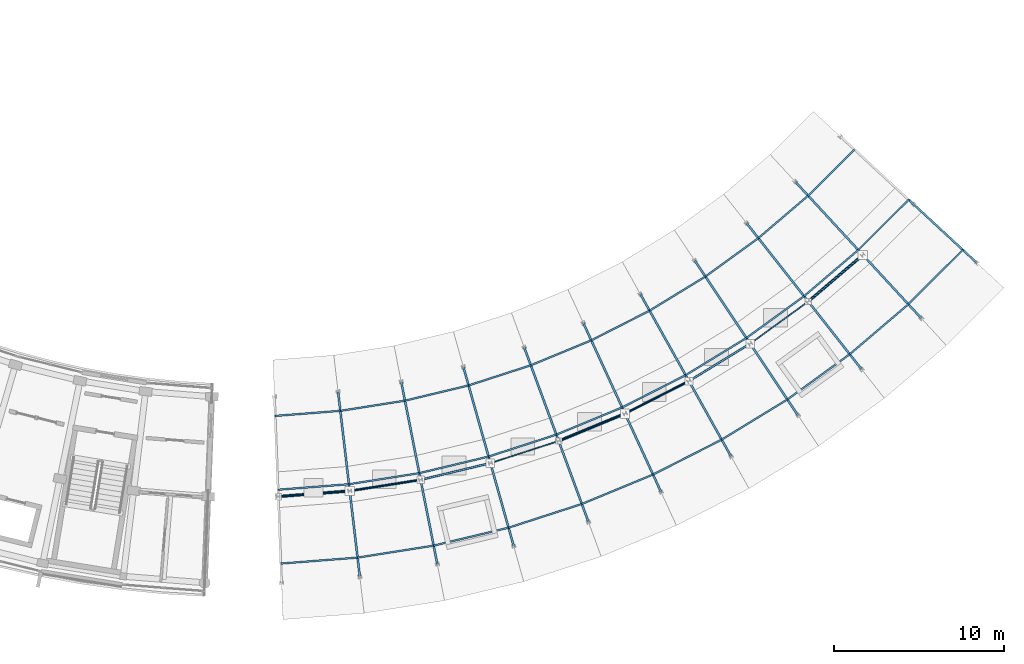
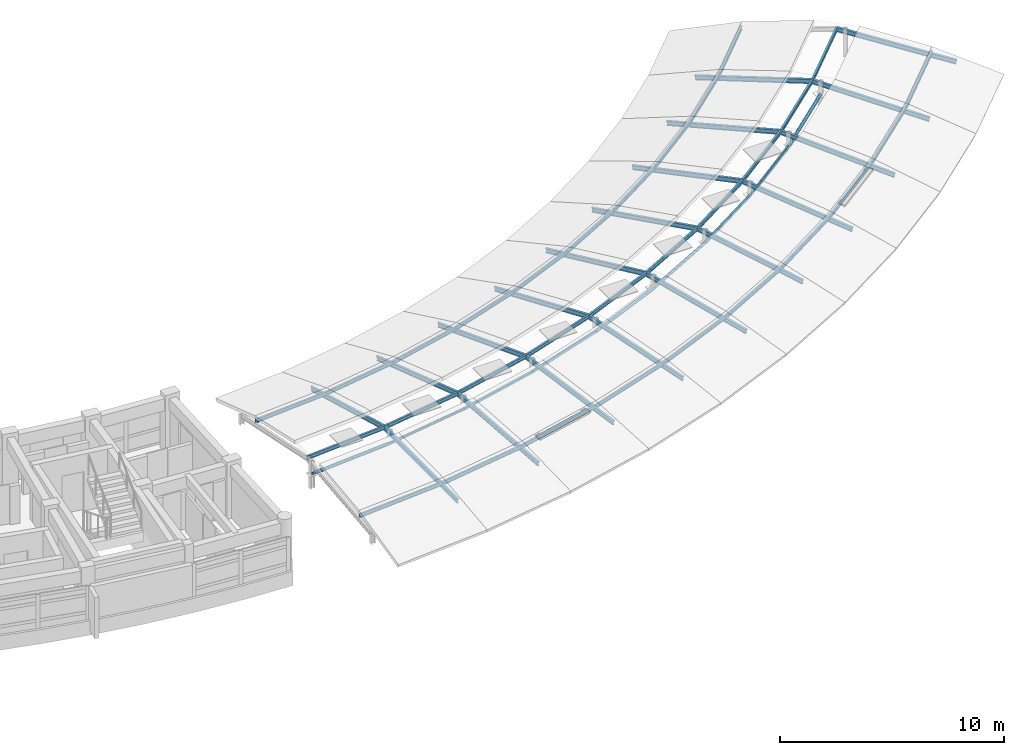
# One storey, part 21 of 50: 49 beams, 9 members.
"""IFC4 building model written with IfcOpenShell, lengths in metres."""

from ifc_helpers import new_model, si_unit, direction, frame, origin, origin_2d, place, context, subcontext, project, spatial, hollow_rectangle, hollow_circle, i_section, extrude, material, material_profile, profile_set, type_object, element, save


model = new_model("IFC4")

# Units and contexts
model_context = context("Model", 3, precision=1e-05, world=origin(), true_north=direction((0.0, 1.0)))
body_context = subcontext(model_context, "Body", "Model", "MODEL_VIEW")
ifc_project = project(units=[si_unit("LENGTHUNIT", "METRE"), si_unit("AREAUNIT", "SQUARE_METRE"), si_unit("VOLUMEUNIT", "CUBIC_METRE"), si_unit("PLANEANGLEUNIT", "RADIAN"), si_unit("MASSUNIT", "GRAM", prefix="KILO")], contexts=[model_context])

# Site, building, storey
site_placement = place(None, origin())
site = spatial("IfcSite", under=ifc_project, at=site_placement, CompositionType="ELEMENT")
building_placement = place(site_placement, origin())
building = spatial("IfcBuilding", under=site, at=building_placement, Name="Zimvara Arc Housing Community", CompositionType="ELEMENT")
storey_placement = place(building_placement, frame((0.0, 0.0, 26.699951171875)))
storey = spatial("IfcBuildingStorey", under=building, at=storey_placement, Name="L08", CompositionType="ELEMENT", Elevation=26.699951171875)

# Beams
ifc_material_1 = material(Name="Steel S355", Category="steel")
ifc_material_profile_1 = material_profile(ifc_material_1, i_section(OverallWidth=0.10009765625, OverallDepth=0.199951171875, WebThickness=0.005615234375, FlangeThickness=0.008544921875, FilletRadius=0.011962890625, at=origin_2d()), Name="IPE 200")
ifc_profile_set_1 = profile_set([ifc_material_profile_1], Name="Steel S355")
beam_type_1 = type_object("IfcBeamType", Name="BM-ST-IPE200", PredefinedType="JOIST", material=ifc_profile_set_1)
beam_1_placement = place(storey_placement, frame((127.863037109375, 60.84619140625, 0.824951171875), z_axis=(0.996985095429, 0.077593295403, 0.0), x_axis=(-0.077593295403, 0.996985095429, 0.0)))
element("IfcBeam", 1, at=beam_1_placement, inside=storey, type_object=beam_type_1, Name="bm:blkD:L08:p_in:b0", PredefinedType="JOIST", context=body_context, shape_type="SweptSolid", body=[
    extrude(i_section(OverallWidth=0.10009765625, OverallDepth=0.199951171875, WebThickness=0.005615234375, FlangeThickness=0.008544921875, FilletRadius=0.011962890625, at=origin_2d()), origin(), (0.0, 0.0, 1.0), 3.851318359375),
])
beam_2_placement = place(storey_placement, frame((128.030029296875, 56.499267578125, 1.4150390625), z_axis=(0.996983158074, 0.077618184191, 0.0), x_axis=(-0.077618184191, 0.996983158074, 0.0)))
element("IfcBeam", 2, at=beam_2_placement, inside=storey, type_object=beam_type_1, Name="bm:blkD:L08:p_crb:b0", PredefinedType="JOIST", context=body_context, shape_type="SweptSolid", body=[
    extrude(i_section(OverallWidth=0.10009765625, OverallDepth=0.199951171875, WebThickness=0.005615234375, FlangeThickness=0.008544921875, FilletRadius=0.011962890625, at=origin_2d()), origin(), (0.0, 0.0, 1.0), 4.19287109375),
])
beam_3_placement = place(storey_placement, frame((128.19677734375, 52.152587890625, 0.824951171875), z_axis=(0.996986002393, 0.077581641076, 0.0), x_axis=(-0.077581641076, 0.996986002393, 0.0)))
element("IfcBeam", 3, at=beam_3_placement, inside=storey, type_object=beam_type_1, Name="bm:blkD:L08:p_out:b0", PredefinedType="JOIST", context=body_context, shape_type="SweptSolid", body=[
    extrude(i_section(OverallWidth=0.10009765625, OverallDepth=0.199951171875, WebThickness=0.005615234375, FlangeThickness=0.008544921875, FilletRadius=0.011962890625, at=origin_2d()), origin(), (0.0, 0.0, 1.0), 4.53466796875),
])
beam_4_placement = place(storey_placement, frame((131.70263671875, 61.14501953125, 0.824951171875), z_axis=(0.987826104117, 0.155562167715, 0.0), x_axis=(-0.155562167715, 0.987826104117, 0.0)))
element("IfcBeam", 4, at=beam_4_placement, inside=storey, type_object=beam_type_1, Name="bm:blkD:L08:p_in:b1", PredefinedType="JOIST", context=body_context, shape_type="SweptSolid", body=[
    extrude(i_section(OverallWidth=0.10009765625, OverallDepth=0.199951171875, WebThickness=0.005615234375, FlangeThickness=0.008544921875, FilletRadius=0.011962890625, at=origin_2d()), origin(), (0.0, 0.0, 1.0), 3.851318359375),
])
beam_5_placement = place(storey_placement, frame((132.210205078125, 56.82470703125, 1.4150390625), z_axis=(0.987822850518, 0.155582826795, 0.0), x_axis=(-0.155582826795, 0.987822850518, 0.0)))
element("IfcBeam", 5, at=beam_5_placement, inside=storey, type_object=beam_type_1, Name="bm:blkD:L08:p_crb:b1", PredefinedType="JOIST", context=body_context, shape_type="SweptSolid", body=[
    extrude(i_section(OverallWidth=0.10009765625, OverallDepth=0.199951171875, WebThickness=0.005615234375, FlangeThickness=0.008544921875, FilletRadius=0.011962890625, at=origin_2d()), origin(), (0.0, 0.0, 1.0), 4.19287109375),
])
beam_6_placement = place(storey_placement, frame((132.7177734375, 52.50439453125, 0.824951171875), z_axis=(0.987820086756, 0.155600373398, 0.0), x_axis=(-0.155600373398, 0.987820086756, 0.0)))
element("IfcBeam", 6, at=beam_6_placement, inside=storey, type_object=beam_type_1, Name="bm:blkD:L08:p_out:b1", PredefinedType="JOIST", context=body_context, shape_type="SweptSolid", body=[
    extrude(i_section(OverallWidth=0.10009765625, OverallDepth=0.199951171875, WebThickness=0.005615234375, FlangeThickness=0.008544921875, FilletRadius=0.011962890625, at=origin_2d()), origin(), (0.0, 0.0, 1.0), 4.534423828125),
])
beam_7_placement = place(storey_placement, frame((135.507080078125, 61.744140625, 0.824951171875), z_axis=(0.97257857995, 0.232574516707, 0.0), x_axis=(-0.232574516707, 0.97257857995, 0.0)))
element("IfcBeam", 7, at=beam_7_placement, inside=storey, type_object=beam_type_1, Name="bm:blkD:L08:p_in:b2", PredefinedType="JOIST", context=body_context, shape_type="SweptSolid", body=[
    extrude(i_section(OverallWidth=0.10009765625, OverallDepth=0.199951171875, WebThickness=0.005615234375, FlangeThickness=0.008544921875, FilletRadius=0.011962890625, at=origin_2d()), origin(), (0.0, 0.0, 1.0), 3.8515625),
])
beam_8_placement = place(storey_placement, frame((136.35205078125, 57.47705078125, 1.4150390625), z_axis=(0.972584617521, 0.232549267384, 0.0), x_axis=(-0.232549267384, 0.972584617521, 0.0)))
element("IfcBeam", 8, at=beam_8_placement, inside=storey, type_object=beam_type_1, Name="bm:blkD:L08:p_crb:b2", PredefinedType="JOIST", context=body_context, shape_type="SweptSolid", body=[
    extrude(i_section(OverallWidth=0.10009765625, OverallDepth=0.199951171875, WebThickness=0.005615234375, FlangeThickness=0.008544921875, FilletRadius=0.011962890625, at=origin_2d()), origin(), (0.0, 0.0, 1.0), 4.193115234375),
])
beam_9_placement = place(storey_placement, frame((137.197021484375, 53.2099609375, 0.824951171875), z_axis=(0.972574655495, 0.232590927355, 0.0), x_axis=(-0.232590927355, 0.972574655495, 0.0)))
element("IfcBeam", 9, at=beam_9_placement, inside=storey, type_object=beam_type_1, Name="bm:blkD:L08:p_out:b2", PredefinedType="JOIST", context=body_context, shape_type="SweptSolid", body=[
    extrude(i_section(OverallWidth=0.10009765625, OverallDepth=0.199951171875, WebThickness=0.005615234375, FlangeThickness=0.008544921875, FilletRadius=0.011962890625, at=origin_2d()), origin(), (0.0, 0.0, 1.0), 4.534423828125),
])
beam_10_placement = place(storey_placement, frame((139.2529296875, 62.639892578125, 0.824951171875), z_axis=(0.95132432198, 0.308191554735, 0.0), x_axis=(-0.308191554735, 0.95132432198, 0.0)))
element("IfcBeam", 10, at=beam_10_placement, inside=storey, type_object=beam_type_1, Name="bm:blkD:L08:p_in:b3", PredefinedType="JOIST", context=body_context, shape_type="SweptSolid", body=[
    extrude(i_section(OverallWidth=0.10009765625, OverallDepth=0.199951171875, WebThickness=0.005615234375, FlangeThickness=0.008544921875, FilletRadius=0.011962890625, at=origin_2d()), origin(), (0.0, 0.0, 1.0), 3.8515625),
])
beam_11_placement = place(storey_placement, frame((140.43017578125, 58.4521484375, 1.4150390625), z_axis=(0.951322060584, 0.308198535113, 0.0), x_axis=(-0.308198535113, 0.951322060584, 0.0)))
element("IfcBeam", 11, at=beam_11_placement, inside=storey, type_object=beam_type_1, Name="bm:blkD:L08:p_crb:b3", PredefinedType="JOIST", context=body_context, shape_type="SweptSolid", body=[
    extrude(i_section(OverallWidth=0.10009765625, OverallDepth=0.199951171875, WebThickness=0.005615234375, FlangeThickness=0.008544921875, FilletRadius=0.011962890625, at=origin_2d()), origin(), (0.0, 0.0, 1.0), 4.19287109375),
])
beam_12_placement = place(storey_placement, frame((141.607177734375, 54.2646484375, 0.824951171875), z_axis=(0.951325253892, 0.308188678096, 0.0), x_axis=(-0.308188678096, 0.951325253892, 0.0)))
element("IfcBeam", 12, at=beam_12_placement, inside=storey, type_object=beam_type_1, Name="bm:blkD:L08:p_out:b3", PredefinedType="JOIST", context=body_context, shape_type="SweptSolid", body=[
    extrude(i_section(OverallWidth=0.10009765625, OverallDepth=0.199951171875, WebThickness=0.005615234375, FlangeThickness=0.008544921875, FilletRadius=0.011962890625, at=origin_2d()), origin(), (0.0, 0.0, 1.0), 4.534423828125),
])
beam_13_placement = place(storey_placement, frame((142.9169921875, 63.826904296875, 0.824951171875), z_axis=(0.924211333456, 0.381881409749, 0.0), x_axis=(-0.381881409749, 0.924211333456, 0.0)))
element("IfcBeam", 13, at=beam_13_placement, inside=storey, type_object=beam_type_1, Name="bm:blkD:L08:p_in:b4", PredefinedType="JOIST", context=body_context, shape_type="SweptSolid", body=[
    extrude(i_section(OverallWidth=0.10009765625, OverallDepth=0.199951171875, WebThickness=0.005615234375, FlangeThickness=0.008544921875, FilletRadius=0.011962890625, at=origin_2d()), origin(), (0.0, 0.0, 1.0), 3.851318359375),
])
beam_14_placement = place(storey_placement, frame((144.4189453125, 59.744384765625, 1.4150390625), z_axis=(0.924204695734, 0.381897473654, 0.0), x_axis=(-0.381897473654, 0.924204695734, 0.0)))
element("IfcBeam", 14, at=beam_14_placement, inside=storey, type_object=beam_type_1, Name="bm:blkD:L08:p_crb:b4", PredefinedType="JOIST", context=body_context, shape_type="SweptSolid", body=[
    extrude(i_section(OverallWidth=0.10009765625, OverallDepth=0.199951171875, WebThickness=0.005615234375, FlangeThickness=0.008544921875, FilletRadius=0.011962890625, at=origin_2d()), origin(), (0.0, 0.0, 1.0), 4.193115234375),
])
beam_15_placement = place(storey_placement, frame((145.9208984375, 55.662109375, 0.824951171875), z_axis=(0.92422921008, 0.381838142718, 0.0), x_axis=(-0.381838142718, 0.92422921008, 0.0)))
element("IfcBeam", 15, at=beam_15_placement, inside=storey, type_object=beam_type_1, Name="bm:blkD:L08:p_out:b4", PredefinedType="JOIST", context=body_context, shape_type="SweptSolid", body=[
    extrude(i_section(OverallWidth=0.10009765625, OverallDepth=0.199951171875, WebThickness=0.005615234375, FlangeThickness=0.008544921875, FilletRadius=0.011962890625, at=origin_2d()), origin(), (0.0, 0.0, 1.0), 4.534423828125),
])
beam_16_placement = place(storey_placement, frame((146.476318359375, 65.297607421875, 0.824951171875), z_axis=(0.891389470952, 0.453238139476, 0.0), x_axis=(-0.453238139476, 0.891389470952, 0.0)))
element("IfcBeam", 16, at=beam_16_placement, inside=storey, type_object=beam_type_1, Name="bm:blkD:L08:p_in:b5", PredefinedType="JOIST", context=body_context, shape_type="SweptSolid", body=[
    extrude(i_section(OverallWidth=0.10009765625, OverallDepth=0.199951171875, WebThickness=0.005615234375, FlangeThickness=0.008544921875, FilletRadius=0.011962890625, at=origin_2d()), origin(), (0.0, 0.0, 1.0), 3.851318359375),
])
beam_17_placement = place(storey_placement, frame((148.294189453125, 61.345703125, 1.4150390625), z_axis=(0.891414235781, 0.453189430863, 0.0), x_axis=(-0.453189430863, 0.891414235781, 0.0)))
element("IfcBeam", 17, at=beam_17_placement, inside=storey, type_object=beam_type_1, Name="bm:blkD:L08:p_crb:b5", PredefinedType="JOIST", context=body_context, shape_type="SweptSolid", body=[
    extrude(i_section(OverallWidth=0.10009765625, OverallDepth=0.199951171875, WebThickness=0.005615234375, FlangeThickness=0.008544921875, FilletRadius=0.011962890625, at=origin_2d()), origin(), (0.0, 0.0, 1.0), 4.19287109375),
])
beam_18_placement = place(storey_placement, frame((150.11181640625, 57.3935546875, 0.824951171875), z_axis=(0.891391766529, 0.453233624706, 0.0), x_axis=(-0.453233624706, 0.891391766529, 0.0)))
element("IfcBeam", 18, at=beam_18_placement, inside=storey, type_object=beam_type_1, Name="bm:blkD:L08:p_out:b5", PredefinedType="JOIST", context=body_context, shape_type="SweptSolid", body=[
    extrude(i_section(OverallWidth=0.10009765625, OverallDepth=0.199951171875, WebThickness=0.005615234375, FlangeThickness=0.008544921875, FilletRadius=0.011962890625, at=origin_2d()), origin(), (0.0, 0.0, 1.0), 4.534423828125),
])
beam_19_placement = place(storey_placement, frame((149.909423828125, 67.043212890625, 0.824951171875), z_axis=(0.853093746874, 0.521757663139, 0.0), x_axis=(-0.521757663139, 0.853093746874, 0.0)))
element("IfcBeam", 19, at=beam_19_placement, inside=storey, type_object=beam_type_1, Name="bm:blkD:L08:p_in:b6", PredefinedType="JOIST", context=body_context, shape_type="SweptSolid", body=[
    extrude(i_section(OverallWidth=0.10009765625, OverallDepth=0.199951171875, WebThickness=0.005615234375, FlangeThickness=0.008544921875, FilletRadius=0.011962890625, at=origin_2d()), origin(), (0.0, 0.0, 1.0), 3.8515625),
])
beam_20_placement = place(storey_placement, frame((152.03173828125, 63.245849609375, 1.4150390625), z_axis=(0.853084585739, 0.52177264165, 0.0), x_axis=(-0.52177264165, 0.853084585739, 0.0)))
element("IfcBeam", 20, at=beam_20_placement, inside=storey, type_object=beam_type_1, Name="bm:blkD:L08:p_crb:b6", PredefinedType="JOIST", context=body_context, shape_type="SweptSolid", body=[
    extrude(i_section(OverallWidth=0.10009765625, OverallDepth=0.199951171875, WebThickness=0.005615234375, FlangeThickness=0.008544921875, FilletRadius=0.011962890625, at=origin_2d()), origin(), (0.0, 0.0, 1.0), 4.19287109375),
])
beam_21_placement = place(storey_placement, frame((154.15380859375, 59.44873046875, 0.824951171875), z_axis=(0.85309146224, 0.521761398584, 0.0), x_axis=(-0.521761398584, 0.85309146224, 0.0)))
element("IfcBeam", 21, at=beam_21_placement, inside=storey, type_object=beam_type_1, Name="bm:blkD:L08:p_out:b6", PredefinedType="JOIST", context=body_context, shape_type="SweptSolid", body=[
    extrude(i_section(OverallWidth=0.10009765625, OverallDepth=0.199951171875, WebThickness=0.005615234375, FlangeThickness=0.008544921875, FilletRadius=0.011962890625, at=origin_2d()), origin(), (0.0, 0.0, 1.0), 4.53466796875),
])
beam_22_placement = place(storey_placement, frame((153.195068359375, 69.052734375, 0.824951171875), z_axis=(0.809549438478, 0.587051706973, 0.0), x_axis=(-0.587051706973, 0.809549438478, 0.0)))
element("IfcBeam", 22, at=beam_22_placement, inside=storey, type_object=beam_type_1, Name="bm:blkD:L08:p_in:b7", PredefinedType="JOIST", context=body_context, shape_type="SweptSolid", body=[
    extrude(i_section(OverallWidth=0.10009765625, OverallDepth=0.199951171875, WebThickness=0.005615234375, FlangeThickness=0.008544921875, FilletRadius=0.011962890625, at=origin_2d()), origin(), (0.0, 0.0, 1.0), 3.851318359375),
])
beam_23_placement = place(storey_placement, frame((155.608642578125, 65.43359375, 1.4150390625), z_axis=(0.809518430854, 0.587094464382, 0.0), x_axis=(-0.587094464382, 0.809518430854, 0.0)))
element("IfcBeam", 23, at=beam_23_placement, inside=storey, type_object=beam_type_1, Name="bm:blkD:L08:p_crb:b7", PredefinedType="JOIST", context=body_context, shape_type="SweptSolid", body=[
    extrude(i_section(OverallWidth=0.10009765625, OverallDepth=0.199951171875, WebThickness=0.005615234375, FlangeThickness=0.008544921875, FilletRadius=0.011962890625, at=origin_2d()), origin(), (0.0, 0.0, 1.0), 4.19287109375),
])
beam_24_placement = place(storey_placement, frame((158.022216796875, 61.814697265625, 0.824951171875), z_axis=(0.809536238928, 0.587069908837, 0.0), x_axis=(-0.587069908837, 0.809536238928, 0.0)))
element("IfcBeam", 24, at=beam_24_placement, inside=storey, type_object=beam_type_1, Name="bm:blkD:L08:p_out:b7", PredefinedType="JOIST", context=body_context, shape_type="SweptSolid", body=[
    extrude(i_section(OverallWidth=0.10009765625, OverallDepth=0.199951171875, WebThickness=0.005615234375, FlangeThickness=0.008544921875, FilletRadius=0.011962890625, at=origin_2d()), origin(), (0.0, 0.0, 1.0), 4.53466796875),
])
beam_25_placement = place(storey_placement, frame((156.31298828125, 71.313720703125, 0.824951171875), z_axis=(0.760949929813, 0.648810607434, 0.0), x_axis=(-0.648810607434, 0.760949929813, 0.0)))
element("IfcBeam", 25, at=beam_25_placement, inside=storey, type_object=beam_type_1, Name="bm:blkD:L08:p_in:b8", PredefinedType="JOIST", context=body_context, shape_type="SweptSolid", body=[
    extrude(i_section(OverallWidth=0.10009765625, OverallDepth=0.199951171875, WebThickness=0.005615234375, FlangeThickness=0.008544921875, FilletRadius=0.011962890625, at=origin_2d()), origin(), (0.0, 0.0, 1.0), 3.851318359375),
])
beam_26_placement = place(storey_placement, frame((159.0029296875, 67.895263671875, 1.4150390625), z_axis=(0.76100472372, 0.648746337543, 0.0), x_axis=(-0.648746337543, 0.76100472372, 0.0)))
element("IfcBeam", 26, at=beam_26_placement, inside=storey, type_object=beam_type_1, Name="bm:blkD:L08:p_crb:b8", PredefinedType="JOIST", context=body_context, shape_type="SweptSolid", body=[
    extrude(i_section(OverallWidth=0.10009765625, OverallDepth=0.199951171875, WebThickness=0.005615234375, FlangeThickness=0.008544921875, FilletRadius=0.011962890625, at=origin_2d()), origin(), (0.0, 0.0, 1.0), 4.193115234375),
])
beam_27_placement = place(storey_placement, frame((161.693115234375, 64.476806640625, 0.824951171875), z_axis=(0.760979358389, 0.648776090886, 0.0), x_axis=(-0.648776090886, 0.760979358389, 0.0)))
element("IfcBeam", 27, at=beam_27_placement, inside=storey, type_object=beam_type_1, Name="bm:blkD:L08:p_out:b8", PredefinedType="JOIST", context=body_context, shape_type="SweptSolid", body=[
    extrude(i_section(OverallWidth=0.10009765625, OverallDepth=0.199951171875, WebThickness=0.005615234375, FlangeThickness=0.008544921875, FilletRadius=0.011962890625, at=origin_2d()), origin(), (0.0, 0.0, 1.0), 4.534423828125),
])
beam_28_placement = place(storey_placement, frame((159.24365234375, 73.8125, 0.824951171875), z_axis=(0.707740389032, 0.706472605083, 0.0), x_axis=(-0.706472605083, 0.707740389032, 0.0)))
element("IfcBeam", 28, at=beam_28_placement, inside=storey, type_object=beam_type_1, Name="bm:blkD:L08:p_in:b9", PredefinedType="JOIST", context=body_context, shape_type="SweptSolid", body=[
    extrude(i_section(OverallWidth=0.10009765625, OverallDepth=0.199951171875, WebThickness=0.005615234375, FlangeThickness=0.008544921875, FilletRadius=0.011962890625, at=origin_2d()), origin(), (0.0, 0.0, 1.0), 3.8515625),
])
beam_29_placement = place(storey_placement, frame((162.19384765625, 70.615478515625, 1.4150390625), z_axis=(0.707688809684, 0.706524273219, 0.0), x_axis=(-0.706524273219, 0.707688809684, 0.0)))
element("IfcBeam", 29, at=beam_29_placement, inside=storey, type_object=beam_type_1, Name="bm:blkD:L08:p_crb:b9", PredefinedType="JOIST", context=body_context, shape_type="SweptSolid", body=[
    extrude(i_section(OverallWidth=0.10009765625, OverallDepth=0.199951171875, WebThickness=0.005615234375, FlangeThickness=0.008544921875, FilletRadius=0.011962890625, at=origin_2d()), origin(), (0.0, 0.0, 1.0), 4.19287109375),
])
beam_30_placement = place(storey_placement, frame((165.143798828125, 67.418701171875, 0.824951171875), z_axis=(0.707698794773, 0.706514271531, 0.0), x_axis=(-0.706514271531, 0.707698794773, 0.0)))
element("IfcBeam", 30, at=beam_30_placement, inside=storey, type_object=beam_type_1, Name="bm:blkD:L08:p_out:b9", PredefinedType="JOIST", context=body_context, shape_type="SweptSolid", body=[
    extrude(i_section(OverallWidth=0.10009765625, OverallDepth=0.199951171875, WebThickness=0.005615234375, FlangeThickness=0.008544921875, FilletRadius=0.011962890625, at=origin_2d()), origin(), (0.0, 0.0, 1.0), 4.534423828125),
])
ifc_material_2 = material(Name="Steel S355", Category="steel")
ifc_material_profile_2 = material_profile(ifc_material_2, i_section(OverallWidth=0.1201171875, OverallDepth=0.239990234375, WebThickness=0.006103515625, FlangeThickness=0.009765625, FilletRadius=0.014892578125, at=origin_2d()), Name="IPE 240")
ifc_profile_set_2 = profile_set([ifc_material_profile_2], Name="Steel S355")
beam_type_2 = type_object("IfcBeamType", Name="BM-ST-IPE240", PredefinedType="JOIST", material=ifc_profile_set_2)
for number, where, z_axis, x_axis, name in (
    (31, (131.57080078125, 62.267333984375, 0.462646484375), (0.11502543458, -0.979099661352, 0.167728955578), (0.993169749313, 0.116678400101, 0.0), "bm:blkD:L08:rf_in:g1"),
    (32, (132.210205078125, 56.82470703125, 1.39501953125), (0.11502543458, -0.979099661352, -0.167728955578), (0.993169749313, 0.116678400101, 0.0), "bm:blkD:L08:rf_out:g1"),
):
    element("IfcBeam", number, at=place(storey_placement, frame(where, z_axis=z_axis, x_axis=x_axis)), inside=storey, type_object=beam_type_2, Name=name, PredefinedType="JOIST", context=body_context, shape_type="SweptSolid", body=[
        extrude(i_section(OverallWidth=0.1201171875, OverallDepth=0.239990234375, WebThickness=0.006103515625, FlangeThickness=0.009765625, FilletRadius=0.014892578125, at=origin_2d()), origin(), (0.0, 0.0, 1.0), 5.558837890625),
    ])
beam_31_placement = place(storey_placement, frame((135.28759765625, 62.8525390625, 0.462646484375), z_axis=(0.191495939816, -0.967054496069, 0.167734631687), x_axis=(0.98095245073, 0.194248010046, 0.0)))
element("IfcBeam", 33, at=beam_31_placement, inside=storey, type_object=beam_type_2, Name="bm:blkD:L08:rf_in:g2", PredefinedType="JOIST", context=body_context, shape_type="SweptSolid", body=[
    extrude(i_section(OverallWidth=0.1201171875, OverallDepth=0.239990234375, WebThickness=0.006103515625, FlangeThickness=0.009765625, FilletRadius=0.014892578125, at=origin_2d()), origin(), (0.0, 0.0, 1.0), 5.55859375),
])
for number, where, z_axis, x_axis, name in (
    (34, (136.35205078125, 57.47705078125, 1.39501953125), (0.191487806534, -0.96705734222, -0.167727507604), (0.98095413168, 0.194239521056, 0.0), "bm:blkD:L08:rf_out:g2"),
    (35, (138.947265625, 63.727783203125, 0.462646484375), (0.266766279745, -0.949053760128, 0.167728090607), (0.962691931709, 0.270599786811, 0.0), "bm:blkD:L08:rf_in:g3"),
):
    element("IfcBeam", number, at=place(storey_placement, frame(where, z_axis=z_axis, x_axis=x_axis)), inside=storey, type_object=beam_type_2, Name=name, PredefinedType="JOIST", context=body_context, shape_type="SweptSolid", body=[
        extrude(i_section(OverallWidth=0.1201171875, OverallDepth=0.239990234375, WebThickness=0.006103515625, FlangeThickness=0.009765625, FilletRadius=0.014892578125, at=origin_2d()), origin(), (0.0, 0.0, 1.0), 5.558837890625),
    ])
beam_32_placement = place(storey_placement, frame((140.43017578125, 58.4521484375, 1.39501953125), z_axis=(0.266736603453, -0.949060518262, -0.167737047355), x_axis=(0.962700275128, 0.270570102317, 0.0)))
element("IfcBeam", 36, at=beam_32_placement, inside=storey, type_object=beam_type_2, Name="bm:blkD:L08:rf_out:g3", PredefinedType="JOIST", context=body_context, shape_type="SweptSolid", body=[
    extrude(i_section(OverallWidth=0.1201171875, OverallDepth=0.239990234375, WebThickness=0.006103515625, FlangeThickness=0.009765625, FilletRadius=0.014892578125, at=origin_2d()), origin(), (0.0, 0.0, 1.0), 5.55859375),
])
beam_33_placement = place(storey_placement, frame((142.526611328125, 64.887451171875, 0.462646484375), z_axis=(0.340415130753, -0.925194832209, 0.167726149445), x_axis=(0.938489829829, 0.345306877006, 0.0)))
element("IfcBeam", 37, at=beam_33_placement, inside=storey, type_object=beam_type_2, Name="bm:blkD:L08:rf_in:g4", PredefinedType="JOIST", context=body_context, shape_type="SweptSolid", body=[
    extrude(i_section(OverallWidth=0.1201171875, OverallDepth=0.239990234375, WebThickness=0.006103515625, FlangeThickness=0.009765625, FilletRadius=0.014892578125, at=origin_2d()), origin(), (0.0, 0.0, 1.0), 5.558837890625),
])
for number, where, z_axis, x_axis, name in (
    (38, (144.4189453125, 59.744384765625, 1.39501953125), (0.340428963529, -0.925188506869, -0.167732965), (0.938484517497, 0.345321314746, 0.0), "bm:blkD:L08:rf_out:g4"),
    (39, (146.004150390625, 66.32421875, 0.462646484375), (0.411973383768, -0.895624865864, 0.167732020534), (0.908495865274, 0.41789384152, 0.0), "bm:blkD:L08:rf_in:g5"),
):
    element("IfcBeam", number, at=place(storey_placement, frame(where, z_axis=z_axis, x_axis=x_axis)), inside=storey, type_object=beam_type_2, Name=name, PredefinedType="JOIST", context=body_context, shape_type="SweptSolid", body=[
        extrude(i_section(OverallWidth=0.1201171875, OverallDepth=0.239990234375, WebThickness=0.006103515625, FlangeThickness=0.009765625, FilletRadius=0.014892578125, at=origin_2d()), origin(), (0.0, 0.0, 1.0), 5.55859375),
    ])
for number, where, z_axis, x_axis, name in (
    (40, (148.294189453125, 61.345703125, 1.39501953125), (0.411920712574, -0.895649759199, -0.167728457332), (0.908520557649, 0.417840156435, 0.0), "bm:blkD:L08:rf_out:g5"),
    (41, (149.358154296875, 68.029541015625, 0.462646484375), (0.480957877041, -0.860550510706, 0.167726977666), (0.872916697838, 0.487869284374, 0.0), "bm:blkD:L08:rf_in:g6"),
):
    element("IfcBeam", number, at=place(storey_placement, frame(where, z_axis=z_axis, x_axis=x_axis)), inside=storey, type_object=beam_type_2, Name=name, PredefinedType="JOIST", context=body_context, shape_type="SweptSolid", body=[
        extrude(i_section(OverallWidth=0.1201171875, OverallDepth=0.239990234375, WebThickness=0.006103515625, FlangeThickness=0.009765625, FilletRadius=0.014892578125, at=origin_2d()), origin(), (0.0, 0.0, 1.0), 5.558837890625),
    ])
beam_34_placement = place(storey_placement, frame((152.03173828125, 63.245849609375, 1.39501953125), z_axis=(0.480942293935, -0.860557293614, -0.167736860323), x_axis=(0.872925067098, 0.487854309433, 0.0)))
element("IfcBeam", 42, at=beam_34_placement, inside=storey, type_object=beam_type_2, Name="bm:blkD:L08:rf_out:g6", PredefinedType="JOIST", context=body_context, shape_type="SweptSolid", body=[
    extrude(i_section(OverallWidth=0.1201171875, OverallDepth=0.239990234375, WebThickness=0.006103515625, FlangeThickness=0.009765625, FilletRadius=0.014892578125, at=origin_2d()), origin(), (0.0, 0.0, 1.0), 5.55859375),
])
for number, where, z_axis, x_axis, name in (
    (43, (152.568115234375, 69.99267578125, 0.462646484375), (0.546983475607, -0.820167771277, 0.167731643917), (0.831954324856, 0.554844123474, 0.0), "bm:blkD:L08:rf_in:g7"),
    (44, (155.608642578125, 65.43359375, 1.39501953125), (0.546983475607, -0.820167771277, -0.167731643917), (0.831954324856, 0.554844123474, 0.0), "bm:blkD:L08:rf_out:g7"),
):
    element("IfcBeam", number, at=place(storey_placement, frame(where, z_axis=z_axis, x_axis=x_axis)), inside=storey, type_object=beam_type_2, Name=name, PredefinedType="JOIST", context=body_context, shape_type="SweptSolid", body=[
        extrude(i_section(OverallWidth=0.1201171875, OverallDepth=0.239990234375, WebThickness=0.006103515625, FlangeThickness=0.009765625, FilletRadius=0.014892578125, at=origin_2d()), origin(), (0.0, 0.0, 1.0), 5.558837890625),
    ])
for number, where, z_axis, x_axis, name in (
    (45, (155.614013671875, 72.20166015625, 0.462646484375), (0.609660049657, -0.77471317743, 0.167732276467), (0.785846593124, 0.618421484163, 0.0), "bm:blkD:L08:rf_in:g8"),
    (46, (159.0029296875, 67.895263671875, 1.39501953125), (0.609660049657, -0.77471317743, -0.167732276467), (0.785846593124, 0.618421484163, 0.0), "bm:blkD:L08:rf_out:g8"),
):
    element("IfcBeam", number, at=place(storey_placement, frame(where, z_axis=z_axis, x_axis=x_axis)), inside=storey, type_object=beam_type_2, Name=name, PredefinedType="JOIST", context=body_context, shape_type="SweptSolid", body=[
        extrude(i_section(OverallWidth=0.1201171875, OverallDepth=0.239990234375, WebThickness=0.006103515625, FlangeThickness=0.009765625, FilletRadius=0.014892578125, at=origin_2d()), origin(), (0.0, 0.0, 1.0), 5.55859375),
    ])
for number, where, z_axis, x_axis, name in (
    (47, (158.477294921875, 74.642822265625, 0.462646484375), (0.668574713314, -0.724483247115, 0.167725601402), (0.734893961057, 0.678182030138, 0.0), "bm:blkD:L08:rf_in:g9"),
    (48, (162.19384765625, 70.615478515625, 1.39501953125), (0.668550424846, -0.724504520317, -0.167730526376), (0.734916164606, 0.678157969061, 0.0), "bm:blkD:L08:rf_out:g9"),
    (49, (165.1611328125, 73.577880859375, 1.39501953125), (0.723344041957, -0.669806920697, -0.167726223208), (0.679432017065, 0.733738464432, 0.0), "bm:blkD:L08:rf_out:g10"),
):
    element("IfcBeam", number, at=place(storey_placement, frame(where, z_axis=z_axis, x_axis=x_axis)), inside=storey, type_object=beam_type_2, Name=name, PredefinedType="JOIST", context=body_context, shape_type="SweptSolid", body=[
        extrude(i_section(OverallWidth=0.1201171875, OverallDepth=0.239990234375, WebThickness=0.006103515625, FlangeThickness=0.009765625, FilletRadius=0.014892578125, at=origin_2d()), origin(), (0.0, 0.0, 1.0), 5.558837890625),
    ])

# Members
ifc_material_3 = material(Name="Steel S355", Category="steel")
ifc_material_profile_3 = material_profile(ifc_material_3, hollow_rectangle(XDim=0.1201171875, YDim=0.1201171875, WallThickness=0.00634765625, InnerFilletRadius=0.00634765625, OuterFilletRadius=0.0126953125, at=origin_2d()), Name="SHS 120x120x6.3")
ifc_profile_set_3 = profile_set([ifc_material_profile_3], Name="Steel S355")
member_type_1 = type_object("IfcMemberType", Name="MB-BRACE-SHS120", PredefinedType="BRACE", material=ifc_profile_set_3)
for number, where, z_axis, x_axis, name in (
    (50, (136.4296875, 57.084716796875, 0.77001953125), (0.972583154207, 0.23255538728, 0.0), (-0.23255538728, 0.972583154207, 0.0), "mb:blkD:L08:brace:b2"),
    (51, (152.226806640625, 62.896728515625, 0.77001953125), (0.853091772331, 0.521760891579, 0.0), (-0.521760891579, 0.853091772331, 0.0), "mb:blkD:L08:brace:b6"),
):
    element("IfcMember", number, at=place(storey_placement, frame(where, z_axis=z_axis, x_axis=x_axis)), inside=storey, type_object=member_type_1, Name=name, PredefinedType="BRACE", context=body_context, shape_type="SweptSolid", body=[
        extrude(hollow_rectangle(XDim=0.1201171875, YDim=0.1201171875, WallThickness=0.00634765625, InnerFilletRadius=0.00634765625, OuterFilletRadius=0.0126953125, at=origin_2d()), origin(), (0.0, 0.0, 1.0), 4.224365234375),
    ])
ifc_material_4 = material(Name="Steel S355", Category="steel")
ifc_material_profile_4 = material_profile(ifc_material_4, hollow_rectangle(XDim=0.080078125, YDim=0.159912109375, WallThickness=0.00634765625, InnerFilletRadius=0.00634765625, OuterFilletRadius=0.0126953125, at=origin_2d()), Name="RHS 160x80x6.3")
ifc_profile_set_4 = profile_set([ifc_material_profile_4], Name="Steel S355")
member_type_2 = type_object("IfcMemberType", Name="MB-PURLIN-RHS160", PredefinedType="PURLIN", material=ifc_profile_set_4)
for number, where, z_axis, x_axis, name in (
    (52, (140.538330078125, 58.067138671875, 0.77001953125), (0.951319487454, 0.308206477528, 0.0), (-0.308206477528, 0.951319487454, 0.0), "mb:blkD:L08:brace:b3"),
    (53, (155.83056640625, 65.100830078125, 0.77001953125), (0.809550019144, 0.587050906229, 0.0), (-0.587050906229, 0.809550019144, 0.0), "mb:blkD:L08:brace:b7"),
):
    element("IfcMember", number, at=place(storey_placement, frame(where, z_axis=z_axis, x_axis=x_axis)), inside=storey, type_object=member_type_2, Name=name, PredefinedType="PURLIN", context=body_context, shape_type="SweptSolid", body=[
        extrude(hollow_rectangle(XDim=0.080078125, YDim=0.159912109375, WallThickness=0.00634765625, InnerFilletRadius=0.00634765625, OuterFilletRadius=0.0126953125, at=origin_2d()), origin(), (0.0, 0.0, 1.0), 4.224365234375),
    ])
ifc_material_5 = material(Name="Steel S355", Category="steel")
ifc_material_profile_5 = material_profile(ifc_material_5, hollow_circle(Radius=0.06982421875, WallThickness=0.00634765625, at=origin_2d()), Name="CHS 139.7x6.3")
ifc_profile_set_5 = profile_set([ifc_material_profile_5], Name="Steel S355")
member_type_3 = type_object("IfcMemberType", Name="MB-STRUT-CHS140", PredefinedType="STRUT", material=ifc_profile_set_5)
for number, where, z_axis, x_axis, name in (
    (54, (132.2568359375, 56.427490234375, 0.77001953125), (0.987822873555, 0.15558268053, 0.0), (-0.15558268053, 0.987822873555, 0.0), "mb:blkD:L08:brace:b1"),
    (55, (148.461181640625, 60.982177734375, 0.77001953125), (0.891401751243, 0.453213986855, 0.0), (-0.453213986855, 0.891401751243, 0.0), "mb:blkD:L08:brace:b5"),
):
    element("IfcMember", number, at=place(storey_placement, frame(where, z_axis=z_axis, x_axis=x_axis)), inside=storey, type_object=member_type_3, Name=name, PredefinedType="STRUT", context=body_context, shape_type="SweptSolid", body=[
        extrude(hollow_circle(Radius=0.06982421875, WallThickness=0.00634765625, at=origin_2d()), origin(), (0.0, 0.0, 1.0), 4.224365234375),
    ])
ifc_material_6 = material(Name="Steel S355", Category="steel")
ifc_material_profile_6 = material_profile(ifc_material_6, hollow_circle(Radius=0.084228515625, WallThickness=0.008056640625, at=origin_2d()), Name="CHS 168.3x8.0")
ifc_profile_set_6 = profile_set([ifc_material_profile_6], Name="Steel S355")
member_type_4 = type_object("IfcMemberType", Name="MB-STRUT-CHS168", PredefinedType="STRUT", material=ifc_profile_set_6)
member_1_placement = place(storey_placement, frame((128.045166015625, 56.099609375, 0.77001953125), z_axis=(0.996983350574, 0.077615711543, 0.0), x_axis=(-0.077615711543, 0.996983350574, 0.0)))
element("IfcMember", 56, at=member_1_placement, inside=storey, type_object=member_type_4, Name="mb:blkD:L08:brace:b0", PredefinedType="STRUT", context=body_context, shape_type="SweptSolid", body=[
    extrude(hollow_circle(Radius=0.084228515625, WallThickness=0.008056640625, at=origin_2d()), origin(), (0.0, 0.0, 1.0), 4.224365234375),
])
member_2_placement = place(storey_placement, frame((144.55712890625, 59.369140625, 0.77001953125), z_axis=(0.924220191381, 0.381859971512, 0.0), x_axis=(-0.381859971512, 0.924220191381, 0.0)))
element("IfcMember", 57, at=member_2_placement, inside=storey, type_object=member_type_4, Name="mb:blkD:L08:brace:b4", PredefinedType="STRUT", context=body_context, shape_type="SweptSolid", body=[
    extrude(hollow_circle(Radius=0.084228515625, WallThickness=0.008056640625, at=origin_2d()), origin(), (0.0, 0.0, 1.0), 4.22412109375),
])
member_3_placement = place(storey_placement, frame((159.25048828125, 67.580810546875, 0.77001953125), z_axis=(0.760967379016, 0.648790141782, 0.0), x_axis=(-0.648790141782, 0.760967379016, 0.0)))
element("IfcMember", 58, at=member_3_placement, inside=storey, type_object=member_type_4, Name="mb:blkD:L08:brace:b8", PredefinedType="STRUT", context=body_context, shape_type="SweptSolid", body=[
    extrude(hollow_circle(Radius=0.084228515625, WallThickness=0.008056640625, at=origin_2d()), origin(), (0.0, 0.0, 1.0), 4.224365234375),
])

save(model, "model.ifc")
